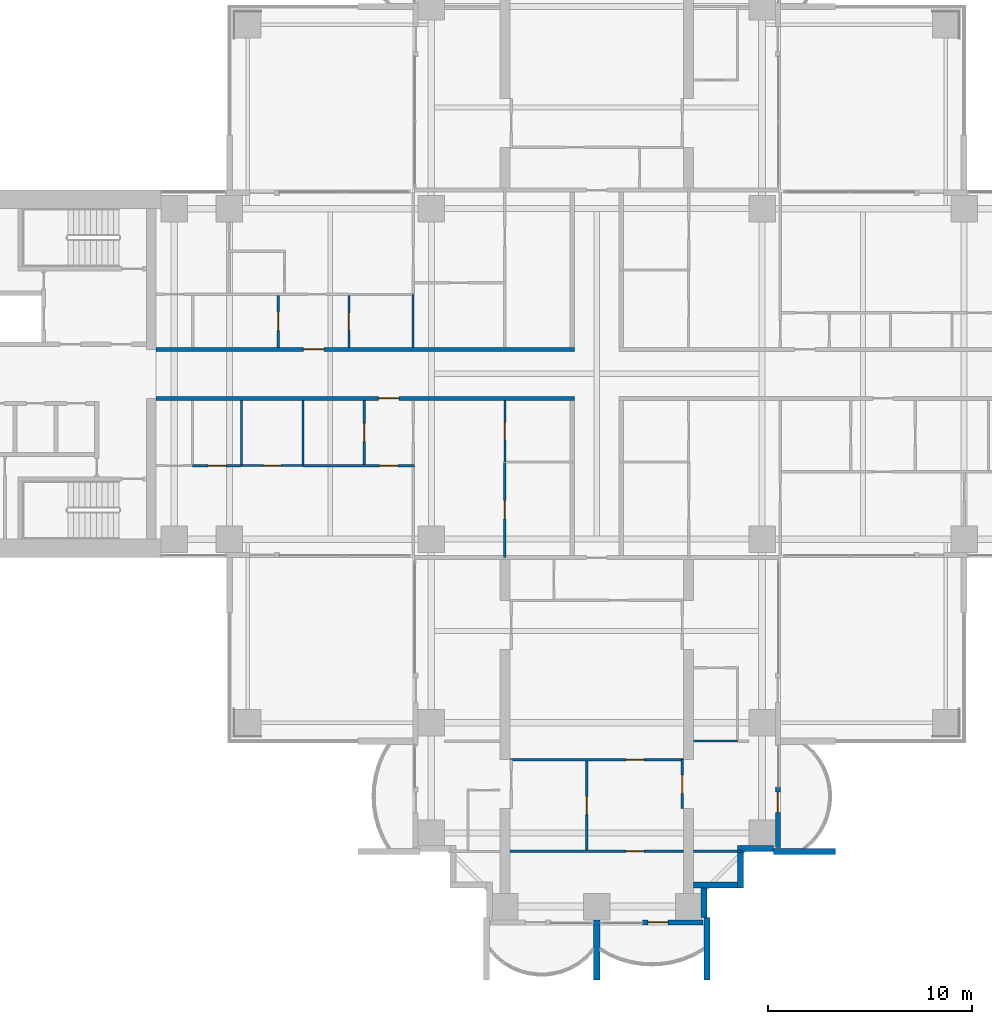
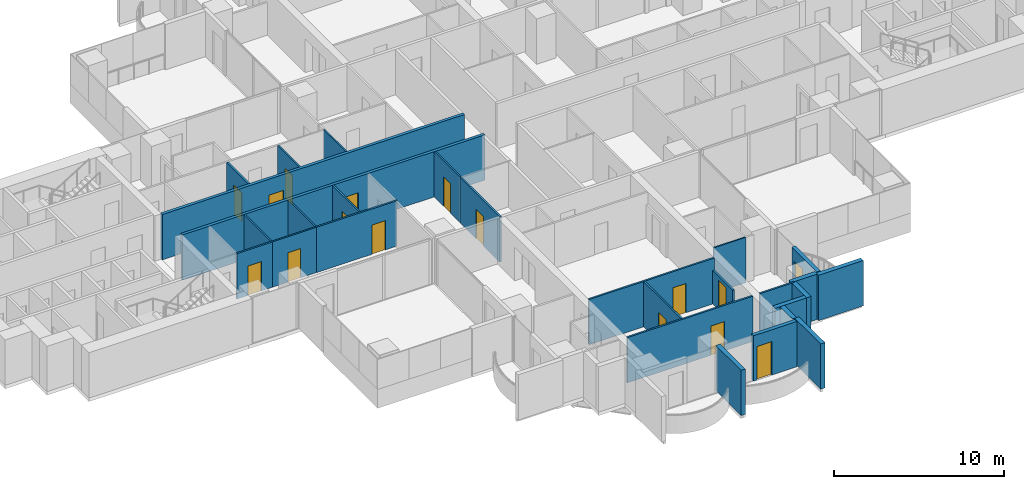
# One storey, part 11 of 21: 28 walls, 16 doors, 16 openings.
"""IFC4 building model written with IfcOpenShell, lengths in metres."""

from ifc_helpers import new_model, si_unit, direction, frame, frame_2d, origin, place, context, subcontext, project, spatial, rectangle, extrude, material, layer, layer_set, type_object, element, fill, save


model = new_model("IFC4")

# Units and contexts
model_context = context("Model", 3, precision=1e-05, world=origin(), true_north=direction((0.0, 1.0)))
body_context = subcontext(model_context, "Body", "Model", "MODEL_VIEW")
ifc_project = project(units=[si_unit("LENGTHUNIT", "METRE"), si_unit("AREAUNIT", "SQUARE_METRE"), si_unit("VOLUMEUNIT", "CUBIC_METRE"), si_unit("PLANEANGLEUNIT", "RADIAN"), si_unit("MASSUNIT", "GRAM", prefix="KILO")], contexts=[model_context])

# Site, building, storey
site_placement = place(None, origin())
site = spatial("IfcSite", under=ifc_project, at=site_placement, CompositionType="ELEMENT")
building_placement = place(site_placement, origin())
building = spatial("IfcBuilding", under=site, at=building_placement, Name="Perihelion Cross Residences", CompositionType="ELEMENT")
storey_placement = place(building_placement, frame((0.0, 0.0, 43.5)))
storey = spatial("IfcBuildingStorey", under=building, at=storey_placement, Name="L07", CompositionType="ELEMENT", Elevation=43.5)

# Wall, opening, door
ifc_material_1 = material(Name="Plasterboard partition")
ifc_layer_1 = layer(ifc_material_1, 0.199951171875)
ifc_layer_set_1 = layer_set([ifc_layer_1], Name="Apartment separation wall 200")
wall_type_1 = type_object("IfcWallType", Name="Apartment separation wall 200", PredefinedType="PARTITIONING", material=ifc_layer_set_1)
wall_1_placement = place(storey_placement, frame((-21.60009765625, 1.199951171875, 0.0), z_axis=(0.0, 0.0, 1.0), x_axis=(1.0, 0.0, 0.0)))
wall_1 = element("IfcWall", 1, at=wall_1_placement, inside=storey, type_object=wall_type_1, Name="Partition L07 W005", PredefinedType="PARTITIONING", context=body_context, shape_type="SweptSolid", body=[
    extrude(rectangle(XDim=20.5, YDim=0.199951171875, at=frame_2d((10.25, 0.0))), origin(), (0.0, 0.0, 1.0), 3.25),
])
opening_1_placement = place(wall_1_placement, frame((7.22509765625, 0.0, 0.0)))
opening_1 = element("IfcOpeningElement", 2, at=opening_1_placement, cuts=wall_1, Name="Opening L07.A52", PredefinedType="OPENING", context=body_context, shape_type="SweptSolid", body=[
    extrude(rectangle(XDim=1.0, YDim=2.10009765625, at=frame_2d((0.5, 1.050048828125))), frame((0.0, 0.10986328125, 0.0), z_axis=(0.0, -1.0, 0.0), x_axis=(1.0, 0.0, 0.0)), (0.0, 0.0, 1.0), 0.219970703125),
])
ifc_material_2 = material(Name="Timber door leaf", Category="wood")
door_type_1 = type_object("IfcDoorType", Name="Flat entrance door 1000 x 2100", OperationType="SINGLE_SWING_LEFT", PredefinedType="DOOR", material=ifc_material_2)
door_1_placement = place(opening_1_placement, origin())
door_1 = element("IfcDoor", 3, at=door_1_placement, inside=storey, type_object=door_type_1, Name="Door L07.A52", OperationType="SINGLE_SWING_RIGHT", OverallHeight=2.10009765625, OverallWidth=1.0, PredefinedType="DOOR", context=body_context, shape_type="SweptSolid", body=[
    extrude(rectangle(XDim=1.0, YDim=2.10009765625, at=frame_2d((0.5, 1.050048828125))), frame((0.0, 0.02490234375, 0.0), z_axis=(0.0, -1.0, 0.0), x_axis=(1.0, 0.0, 0.0)), (0.0, 0.0, 1.0), 0.050048828125),
])
fill(opening_1, door_1)

wall_2_placement = place(storey_placement, frame((-1.10009765625, -1.199951171875, 0.0), z_axis=(0.0, 0.0, 1.0), x_axis=(-1.0, 0.0, 0.0)))
wall_2 = element("IfcWall", 4, at=wall_2_placement, inside=storey, type_object=wall_type_1, Name="Partition L07 W007", PredefinedType="PARTITIONING", context=body_context, shape_type="SweptSolid", body=[
    extrude(rectangle(XDim=20.5, YDim=0.199951171875, at=frame_2d((10.25, 0.0))), origin(), (0.0, 0.0, 1.0), 3.25),
])
opening_2_placement = place(wall_2_placement, frame((8.60009765625, 0.0, 0.0)))
opening_2 = element("IfcOpeningElement", 5, at=opening_2_placement, cuts=wall_2, Name="Opening L07.A53", PredefinedType="OPENING", context=body_context, shape_type="SweptSolid", body=[
    extrude(rectangle(XDim=1.0, YDim=2.10009765625, at=frame_2d((0.5, 1.050048828125))), frame((0.0, 0.10986328125, 0.0), z_axis=(0.0, -1.0, 0.0), x_axis=(1.0, 0.0, 0.0)), (0.0, 0.0, 1.0), 0.219970703125),
])
door_2_placement = place(opening_2_placement, origin())
door_2 = element("IfcDoor", 6, at=door_2_placement, inside=storey, type_object=door_type_1, Name="Door L07.A53", OperationType="SINGLE_SWING_LEFT", OverallHeight=2.10009765625, OverallWidth=1.0, PredefinedType="DOOR", context=body_context, shape_type="SweptSolid", body=[
    extrude(rectangle(XDim=1.0, YDim=2.10009765625, at=frame_2d((0.5, 1.050048828125))), frame((0.0, 0.02490234375, 0.0), z_axis=(0.0, -1.0, 0.0), x_axis=(1.0, 0.0, 0.0)), (0.0, 0.0, 1.0), 0.050048828125),
])
fill(opening_2, door_2)

ifc_material_3 = material(Name="Concrete C30/37, bronze-clad", Category="concrete")
ifc_layer_2 = layer(ifc_material_3, 0.25)
ifc_layer_set_2 = layer_set([ifc_layer_2], Name="Bronze-clad pier wall 250")
wall_type_2 = type_object("IfcWallType", Name="Bronze-clad pier wall 250", PredefinedType="SOLIDWALL", material=ifc_layer_set_2)
wall_3_placement = place(storey_placement, frame((2.25, -26.875, 0.0), z_axis=(0.0, 0.0, 1.0), x_axis=(1.0, 0.0, 0.0)))
wall_3 = element("IfcWall", 7, at=wall_3_placement, inside=storey, type_object=wall_type_2, Name="Wall FW1 L07 south tip south bay 2 pier", PredefinedType="SOLIDWALL", context=body_context, shape_type="SweptSolid", body=[
    extrude(rectangle(XDim=2.949951171875, YDim=0.25, at=frame_2d((1.47509765625, 0.0))), origin(), (0.0, 0.0, 1.0), 3.25),
])
opening_3_placement = place(wall_3_placement, frame((0.25, 0.0, 0.0)))
opening_3 = element("IfcOpeningElement", 8, at=opening_3_placement, cuts=wall_3, Name="Opening L07.E13", PredefinedType="OPENING", context=body_context, shape_type="SweptSolid", body=[
    extrude(rectangle(XDim=1.0, YDim=2.39990234375, at=frame_2d((0.5, 1.199951171875))), frame((0.0, 0.135009765625, 0.0), z_axis=(0.0, -1.0, 0.0), x_axis=(1.0, 0.0, 0.0)), (0.0, 0.0, 1.0), 0.27001953125),
])
ifc_material_4 = material(Name="Bronze anodised aluminium, glazed", Category="aluminium")
door_type_2 = type_object("IfcDoorType", Name="Balcony door 1000 x 2400", OperationType="NOTDEFINED", PredefinedType="DOOR", material=ifc_material_4)
door_3_placement = place(opening_3_placement, origin())
door_3 = element("IfcDoor", 9, at=door_3_placement, inside=storey, type_object=door_type_2, Name="Door L07.E13 south tip south bay 2", OperationType="SINGLE_SWING_RIGHT", OverallHeight=2.39990234375, OverallWidth=1.0, PredefinedType="DOOR", context=body_context, shape_type="SweptSolid", body=[
    extrude(rectangle(XDim=1.0, YDim=2.39990234375, at=frame_2d((0.5, 1.199951171875))), frame((0.0, 0.02490234375, 0.0), z_axis=(0.0, -1.0, 0.0), x_axis=(1.0, 0.0, 0.0)), (0.0, 0.0, 1.0), 0.050048828125),
])
fill(opening_3, door_3)

wall_4_placement = place(storey_placement, frame((8.875, -23.199951171875, 0.0), z_axis=(0.0, 0.0, 1.0), x_axis=(0.0, 1.0, 0.0)))
wall_4 = element("IfcWall", 10, at=wall_4_placement, inside=storey, type_object=wall_type_2, Name="Wall FW1 L07 south side east bay 1 pier", PredefinedType="SOLIDWALL", context=body_context, shape_type="SweptSolid", body=[
    extrude(rectangle(XDim=2.949951171875, YDim=0.25, at=frame_2d((1.47509765625, 0.0))), origin(), (0.0, 0.0, 1.0), 3.25),
])
opening_4_placement = place(wall_4_placement, frame((1.699951171875, 0.0, 0.0)))
opening_4 = element("IfcOpeningElement", 11, at=opening_4_placement, cuts=wall_4, Name="Opening L07.E14", PredefinedType="OPENING", context=body_context, shape_type="SweptSolid", body=[
    extrude(rectangle(XDim=1.0, YDim=2.39990234375, at=frame_2d((0.5, 1.199951171875))), frame((0.0, 0.135009765625, 0.0), z_axis=(0.0, -1.0, 0.0), x_axis=(1.0, 0.0, 0.0)), (0.0, 0.0, 1.0), 0.27001953125),
])
door_4_placement = place(opening_4_placement, origin())
door_4 = element("IfcDoor", 12, at=door_4_placement, inside=storey, type_object=door_type_2, Name="Door L07.E14 south side east bay 1", OperationType="SINGLE_SWING_LEFT", OverallHeight=2.39990234375, OverallWidth=1.0, PredefinedType="DOOR", context=body_context, shape_type="SweptSolid", body=[
    extrude(rectangle(XDim=1.0, YDim=2.39990234375, at=frame_2d((0.5, 1.199951171875))), frame((0.0, 0.02490234375, 0.0), z_axis=(0.0, -1.0, 0.0), x_axis=(1.0, 0.0, 0.0)), (0.0, 0.0, 1.0), 0.050048828125),
])
fill(opening_4, door_4)

# Walls
ifc_material_5 = material(Name="Concrete C30/37, bronze-clad", Category="concrete")
ifc_layer_3 = layer(ifc_material_5, 0.300048828125)
ifc_layer_set_3 = layer_set([ifc_layer_3], Name="Bronze-clad serration wall 300")
wall_type_3 = type_object("IfcWallType", Name="Bronze-clad serration wall 300", PredefinedType="SOLIDWALL", material=ifc_layer_set_3)
wall_5_placement = place(storey_placement, frame((5.25, -26.64990234375, 0.0), z_axis=(0.0, 0.0, 1.0), x_axis=(0.0, 1.0, 0.0)))
element("IfcWall", 13, at=wall_5_placement, inside=storey, type_object=wall_type_3, Name="Wall SR1 L07 south corner south-east 1", PredefinedType="SOLIDWALL", context=body_context, shape_type="SweptSolid", body=[
    extrude(rectangle(XDim=1.449951171875, YDim=0.300048828125, at=frame_2d((0.72509765625, 0.0))), origin(), (0.0, 0.0, 1.0), 3.25),
])
wall_6_placement = place(storey_placement, frame((4.75, -25.050048828125, 0.0), z_axis=(0.0, 0.0, 1.0), x_axis=(1.0, 0.0, 0.0)))
element("IfcWall", 14, at=wall_6_placement, inside=storey, type_object=wall_type_3, Name="Wall SR1 L07 south corner south-east 2", PredefinedType="SOLIDWALL", context=body_context, shape_type="SweptSolid", body=[
    extrude(rectangle(XDim=2.14990234375, YDim=0.300048828125, at=frame_2d((1.074951171875, 0.0))), origin(), (0.0, 0.0, 1.0), 3.25),
])
wall_7_placement = place(storey_placement, frame((7.050048828125, -25.199951171875, 0.0), z_axis=(0.0, 0.0, 1.0), x_axis=(0.0, 1.0, 0.0)))
element("IfcWall", 15, at=wall_7_placement, inside=storey, type_object=wall_type_3, Name="Wall SR1 L07 south corner south-east 3", PredefinedType="SOLIDWALL", context=body_context, shape_type="SweptSolid", body=[
    extrude(rectangle(XDim=1.800048828125, YDim=0.300048828125, at=frame_2d((0.89990234375, 0.0))), origin(), (0.0, 0.0, 1.0), 3.25),
])
wall_8_placement = place(storey_placement, frame((6.89990234375, -23.25, 0.0), z_axis=(0.0, 0.0, 1.0), x_axis=(1.0, 0.0, 0.0)))
element("IfcWall", 16, at=wall_8_placement, inside=storey, type_object=wall_type_3, Name="Wall SR1 L07 south corner south-east 4", PredefinedType="SOLIDWALL", context=body_context, shape_type="SweptSolid", body=[
    extrude(rectangle(XDim=1.75, YDim=0.300048828125, at=frame_2d((0.875, 0.0))), origin(), (0.0, 0.0, 1.0), 3.25),
])

# Wall, opening, door
ifc_material_6 = material(Name="Plasterboard partition")
ifc_layer_4 = layer(ifc_material_6, 0.1201171875)
ifc_layer_set_4 = layer_set([ifc_layer_4], Name="Infill panel 120")
wall_type_4 = type_object("IfcWallType", Name="Infill panel 120", PredefinedType="PARTITIONING", material=ifc_layer_set_4)
wall_9_placement = place(storey_placement, frame((4.18994140625, -18.89990234375, 0.0), z_axis=(0.0, 0.0, 1.0), x_axis=(0.0, -1.0, 0.0)))
wall_9 = element("IfcWall", 17, at=wall_9_placement, inside=storey, type_object=wall_type_4, Name="Partition L07 WI06", PredefinedType="PARTITIONING", context=body_context, shape_type="SweptSolid", body=[
    extrude(rectangle(XDim=2.400146484375, YDim=0.1201171875, at=frame_2d((1.2001953125, 0.0))), origin(), (0.0, 0.0, 1.0), 2.39990234375),
])
opening_5_placement = place(wall_9_placement, frame((0.75, 0.0, 0.0)))
opening_5 = element("IfcOpeningElement", 18, at=opening_5_placement, cuts=wall_9, Name="Opening L07.A59", PredefinedType="OPENING", context=body_context, shape_type="SweptSolid", body=[
    extrude(rectangle(XDim=0.89990234375, YDim=2.10009765625, at=frame_2d((0.449951171875, 1.050048828125))), frame((0.0, 0.070068359375, 0.0), z_axis=(0.0, -1.0, 0.0), x_axis=(1.0, 0.0, 0.0)), (0.0, 0.0, 1.0), 0.14013671875),
])
ifc_material_7 = material(Name="Timber door leaf", Category="wood")
door_type_3 = type_object("IfcDoorType", Name="Interior room door 900 x 2100", OperationType="SINGLE_SWING_LEFT", PredefinedType="DOOR", material=ifc_material_7)
door_5_placement = place(opening_5_placement, origin())
door_5 = element("IfcDoor", 19, at=door_5_placement, inside=storey, type_object=door_type_3, Name="Door L07.A59", OperationType="SINGLE_SWING_RIGHT", OverallHeight=2.10009765625, OverallWidth=0.89990234375, PredefinedType="DOOR", context=body_context, shape_type="SweptSolid", body=[
    extrude(rectangle(XDim=0.89990234375, YDim=2.10009765625, at=frame_2d((0.449951171875, 1.050048828125))), frame((0.0, 0.02490234375, 0.0), z_axis=(0.0, -1.0, 0.0), x_axis=(1.0, 0.0, 0.0)), (0.0, 0.0, 1.0), 0.050048828125),
])
fill(opening_5, door_5)

ifc_material_8 = material(Name="Plasterboard partition")
ifc_layer_5 = layer(ifc_material_8, 0.1201171875)
ifc_layer_set_5 = layer_set([ifc_layer_5], Name="Partition wall 120")
wall_type_5 = type_object("IfcWallType", Name="Partition wall 120", PredefinedType="PARTITIONING", material=ifc_layer_set_5)
wall_10_placement = place(storey_placement, frame((-15.60009765625, 1.300048828125, 0.0), z_axis=(0.0, 0.0, 1.0), x_axis=(0.0, 1.0, 0.0)))
wall_10 = element("IfcWall", 20, at=wall_10_placement, inside=storey, type_object=wall_type_5, Name="Partition L07 W036", PredefinedType="PARTITIONING", context=body_context, shape_type="SweptSolid", body=[
    extrude(rectangle(XDim=2.5400390625, YDim=0.1201171875, at=frame_2d((1.27001953125, 0.0))), origin(), (0.0, 0.0, 1.0), 3.25),
])
opening_6_placement = place(wall_10_placement, frame((0.820068359375, 0.0, 0.0)))
opening_6 = element("IfcOpeningElement", 21, at=opening_6_placement, cuts=wall_10, Name="Opening L07.A18", PredefinedType="OPENING", context=body_context, shape_type="SweptSolid", body=[
    extrude(rectangle(XDim=0.89990234375, YDim=2.10009765625, at=frame_2d((0.449951171875, 1.050048828125))), frame((0.0, 0.070068359375, 0.0), z_axis=(0.0, -1.0, 0.0), x_axis=(1.0, 0.0, 0.0)), (0.0, 0.0, 1.0), 0.14013671875),
])
door_6_placement = place(opening_6_placement, origin())
door_6 = element("IfcDoor", 22, at=door_6_placement, inside=storey, type_object=door_type_3, Name="Door L07.A18", OperationType="SINGLE_SWING_RIGHT", OverallHeight=2.10009765625, OverallWidth=0.89990234375, PredefinedType="DOOR", context=body_context, shape_type="SweptSolid", body=[
    extrude(rectangle(XDim=0.89990234375, YDim=2.10009765625, at=frame_2d((0.449951171875, 1.050048828125))), frame((0.0, 0.02490234375, 0.0), z_axis=(0.0, -1.0, 0.0), x_axis=(1.0, 0.0, 0.0)), (0.0, 0.0, 1.0), 0.050048828125),
])
fill(opening_6, door_6)

wall_11_placement = place(storey_placement, frame((-11.39990234375, -4.43994140625, 0.0), z_axis=(0.0, 0.0, 1.0), x_axis=(0.0, 1.0, 0.0)))
wall_11 = element("IfcWall", 23, at=wall_11_placement, inside=storey, type_object=wall_type_5, Name="Partition L07 W045", PredefinedType="PARTITIONING", context=body_context, shape_type="SweptSolid", body=[
    extrude(rectangle(XDim=3.139892578125, YDim=0.1201171875, at=frame_2d((1.56982421875, 0.0))), origin(), (0.0, 0.0, 1.0), 3.25),
])
opening_7_placement = place(wall_11_placement, frame((1.1201171875, 0.0, 0.0)))
opening_7 = element("IfcOpeningElement", 24, at=opening_7_placement, cuts=wall_11, Name="Opening L07.A27", PredefinedType="OPENING", context=body_context, shape_type="SweptSolid", body=[
    extrude(rectangle(XDim=0.89990234375, YDim=2.10009765625, at=frame_2d((0.449951171875, 1.050048828125))), frame((0.0, 0.070068359375, 0.0), z_axis=(0.0, -1.0, 0.0), x_axis=(1.0, 0.0, 0.0)), (0.0, 0.0, 1.0), 0.14013671875),
])
door_7_placement = place(opening_7_placement, origin())
door_7 = element("IfcDoor", 25, at=door_7_placement, inside=storey, type_object=door_type_3, Name="Door L07.A27", OperationType="SINGLE_SWING_RIGHT", OverallHeight=2.10009765625, OverallWidth=0.89990234375, PredefinedType="DOOR", context=body_context, shape_type="SweptSolid", body=[
    extrude(rectangle(XDim=0.89990234375, YDim=2.10009765625, at=frame_2d((0.449951171875, 1.050048828125))), frame((0.0, 0.02490234375, 0.0), z_axis=(0.0, -1.0, 0.0), x_axis=(1.0, 0.0, 0.0)), (0.0, 0.0, 1.0), 0.050048828125),
])
fill(opening_7, door_7)

wall_12_placement = place(storey_placement, frame((-8.93994140625, -4.5, 0.0), z_axis=(0.0, 0.0, 1.0), x_axis=(-1.0, 0.0, 0.0)))
wall_12 = element("IfcWall", 26, at=wall_12_placement, inside=storey, type_object=wall_type_5, Name="Partition L07 W046", PredefinedType="PARTITIONING", context=body_context, shape_type="SweptSolid", body=[
    extrude(rectangle(XDim=5.4599609375, YDim=0.1201171875, at=frame_2d((2.72998046875, 0.0))), origin(), (0.0, 0.0, 1.0), 3.25),
])
opening_8_placement = place(wall_12_placement, frame((0.81005859375, 0.0, 0.0)))
opening_8 = element("IfcOpeningElement", 27, at=opening_8_placement, cuts=wall_12, Name="Opening L07.A32", PredefinedType="OPENING", context=body_context, shape_type="SweptSolid", body=[
    extrude(rectangle(XDim=0.89990234375, YDim=2.10009765625, at=frame_2d((0.449951171875, 1.050048828125))), frame((0.0, 0.070068359375, 0.0), z_axis=(0.0, -1.0, 0.0), x_axis=(1.0, 0.0, 0.0)), (0.0, 0.0, 1.0), 0.14013671875),
])
door_8_placement = place(opening_8_placement, origin())
door_8 = element("IfcDoor", 28, at=door_8_placement, inside=storey, type_object=door_type_3, Name="Door L07.A32", OperationType="SINGLE_SWING_RIGHT", OverallHeight=2.10009765625, OverallWidth=0.89990234375, PredefinedType="DOOR", context=body_context, shape_type="SweptSolid", body=[
    extrude(rectangle(XDim=0.89990234375, YDim=2.10009765625, at=frame_2d((0.449951171875, 1.050048828125))), frame((0.0, 0.02490234375, 0.0), z_axis=(0.0, -1.0, 0.0), x_axis=(1.0, 0.0, 0.0)), (0.0, 0.0, 1.0), 0.050048828125),
])
fill(opening_8, door_8)

wall_13_placement = place(storey_placement, frame((-17.39990234375, -4.5, 0.0), z_axis=(0.0, 0.0, 1.0), x_axis=(-1.0, 0.0, 0.0)))
wall_13 = element("IfcWall", 29, at=wall_13_placement, inside=storey, type_object=wall_type_5, Name="Partition L07 W052", PredefinedType="PARTITIONING", context=body_context, shape_type="SweptSolid", body=[
    extrude(rectangle(XDim=2.400146484375, YDim=0.1201171875, at=frame_2d((1.2001953125, 0.0))), origin(), (0.0, 0.0, 1.0), 3.25),
])
opening_9_placement = place(wall_13_placement, frame((0.75, 0.0, 0.0)))
opening_9 = element("IfcOpeningElement", 30, at=opening_9_placement, cuts=wall_13, Name="Opening L07.A33", PredefinedType="OPENING", context=body_context, shape_type="SweptSolid", body=[
    extrude(rectangle(XDim=0.89990234375, YDim=2.10009765625, at=frame_2d((0.449951171875, 1.050048828125))), frame((0.0, 0.070068359375, 0.0), z_axis=(0.0, -1.0, 0.0), x_axis=(1.0, 0.0, 0.0)), (0.0, 0.0, 1.0), 0.14013671875),
])
door_9_placement = place(opening_9_placement, origin())
door_9 = element("IfcDoor", 31, at=door_9_placement, inside=storey, type_object=door_type_3, Name="Door L07.A33", OperationType="SINGLE_SWING_RIGHT", OverallHeight=2.10009765625, OverallWidth=0.89990234375, PredefinedType="DOOR", context=body_context, shape_type="SweptSolid", body=[
    extrude(rectangle(XDim=0.89990234375, YDim=2.10009765625, at=frame_2d((0.449951171875, 1.050048828125))), frame((0.0, 0.02490234375, 0.0), z_axis=(0.0, -1.0, 0.0), x_axis=(1.0, 0.0, 0.0)), (0.0, 0.0, 1.0), 0.050048828125),
])
fill(opening_9, door_9)

wall_14_placement = place(storey_placement, frame((-4.5, -4.320068359375, 0.0), z_axis=(0.0, 0.0, 1.0), x_axis=(0.0, -1.0, 0.0)))
wall_14 = element("IfcWall", 32, at=wall_14_placement, inside=storey, type_object=wall_type_5, Name="Partition L07 W055", PredefinedType="PARTITIONING", context=body_context, shape_type="SweptSolid", body=[
    extrude(rectangle(XDim=4.679931640625, YDim=0.1201171875, at=frame_2d((2.33984375, 0.0))), origin(), (0.0, 0.0, 1.0), 3.25),
])
opening_10_placement = place(wall_14_placement, frame((1.889892578125, 0.0, 0.0)))
opening_10 = element("IfcOpeningElement", 33, at=opening_10_placement, cuts=wall_14, Name="Opening L07.A29", PredefinedType="OPENING", context=body_context, shape_type="SweptSolid", body=[
    extrude(rectangle(XDim=0.89990234375, YDim=2.10009765625, at=frame_2d((0.449951171875, 1.050048828125))), frame((0.0, 0.070068359375, 0.0), z_axis=(0.0, -1.0, 0.0), x_axis=(1.0, 0.0, 0.0)), (0.0, 0.0, 1.0), 0.14013671875),
])
door_10_placement = place(opening_10_placement, origin())
door_10 = element("IfcDoor", 34, at=door_10_placement, inside=storey, type_object=door_type_3, Name="Door L07.A29", OperationType="SINGLE_SWING_RIGHT", OverallHeight=2.10009765625, OverallWidth=0.89990234375, PredefinedType="DOOR", context=body_context, shape_type="SweptSolid", body=[
    extrude(rectangle(XDim=0.89990234375, YDim=2.10009765625, at=frame_2d((0.449951171875, 1.050048828125))), frame((0.0, 0.02490234375, 0.0), z_axis=(0.0, -1.0, 0.0), x_axis=(1.0, 0.0, 0.0)), (0.0, 0.0, 1.0), 0.050048828125),
])
fill(opening_10, door_10)

wall_15_placement = place(storey_placement, frame((4.25, -18.89990234375, 0.0), z_axis=(0.0, 0.0, 1.0), x_axis=(-1.0, 0.0, 0.0)))
wall_15 = element("IfcWall", 35, at=wall_15_placement, inside=storey, type_object=wall_type_5, Name="Partition L07 W075", PredefinedType="PARTITIONING", context=body_context, shape_type="SweptSolid", body=[
    extrude(rectangle(XDim=8.5, YDim=0.1201171875, at=frame_2d((4.25, 0.0))), origin(), (0.0, 0.0, 1.0), 3.25),
])
opening_11_placement = place(wall_15_placement, frame((1.925048828125, 0.0, 0.0)))
opening_11 = element("IfcOpeningElement", 36, at=opening_11_placement, cuts=wall_15, Name="Opening L07.A45", PredefinedType="OPENING", context=body_context, shape_type="SweptSolid", body=[
    extrude(rectangle(XDim=0.89990234375, YDim=2.10009765625, at=frame_2d((0.449951171875, 1.050048828125))), frame((0.0, 0.070068359375, 0.0), z_axis=(0.0, -1.0, 0.0), x_axis=(1.0, 0.0, 0.0)), (0.0, 0.0, 1.0), 0.14013671875),
])
door_11_placement = place(opening_11_placement, origin())
door_11 = element("IfcDoor", 37, at=door_11_placement, inside=storey, type_object=door_type_3, Name="Door L07.A45", OperationType="SINGLE_SWING_RIGHT", OverallHeight=2.10009765625, OverallWidth=0.89990234375, PredefinedType="DOOR", context=body_context, shape_type="SweptSolid", body=[
    extrude(rectangle(XDim=0.89990234375, YDim=2.10009765625, at=frame_2d((0.449951171875, 1.050048828125))), frame((0.0, 0.02490234375, 0.0), z_axis=(0.0, -1.0, 0.0), x_axis=(1.0, 0.0, 0.0)), (0.0, 0.0, 1.0), 0.050048828125),
])
fill(opening_11, door_11)

wall_16_placement = place(storey_placement, frame((-0.5, -23.340087890625, 0.0), z_axis=(0.0, 0.0, 1.0), x_axis=(0.0, 1.0, 0.0)))
wall_16 = element("IfcWall", 38, at=wall_16_placement, inside=storey, type_object=wall_type_5, Name="Partition L07 W076", PredefinedType="PARTITIONING", context=body_context, shape_type="SweptSolid", body=[
    extrude(rectangle(XDim=4.380126953125, YDim=0.1201171875, at=frame_2d((2.18994140625, 0.0))), origin(), (0.0, 0.0, 1.0), 3.25),
])
opening_12_placement = place(wall_16_placement, frame((1.739990234375, 0.0, 0.0)))
opening_12 = element("IfcOpeningElement", 39, at=opening_12_placement, cuts=wall_16, Name="Opening L07.A46", PredefinedType="OPENING", context=body_context, shape_type="SweptSolid", body=[
    extrude(rectangle(XDim=0.89990234375, YDim=2.10009765625, at=frame_2d((0.449951171875, 1.050048828125))), frame((0.0, 0.070068359375, 0.0), z_axis=(0.0, -1.0, 0.0), x_axis=(1.0, 0.0, 0.0)), (0.0, 0.0, 1.0), 0.14013671875),
])
door_12_placement = place(opening_12_placement, origin())
door_12 = element("IfcDoor", 40, at=door_12_placement, inside=storey, type_object=door_type_3, Name="Door L07.A46", OperationType="SINGLE_SWING_LEFT", OverallHeight=2.10009765625, OverallWidth=0.89990234375, PredefinedType="DOOR", context=body_context, shape_type="SweptSolid", body=[
    extrude(rectangle(XDim=0.89990234375, YDim=2.10009765625, at=frame_2d((0.449951171875, 1.050048828125))), frame((0.0, 0.02490234375, 0.0), z_axis=(0.0, -1.0, 0.0), x_axis=(1.0, 0.0, 0.0)), (0.0, 0.0, 1.0), 0.050048828125),
])
fill(opening_12, door_12)

wall_17_placement = place(storey_placement, frame((4.25, -23.39990234375, 0.0), z_axis=(0.0, 0.0, 1.0), x_axis=(-1.0, 0.0, 0.0)))
wall_17 = element("IfcWall", 41, at=wall_17_placement, inside=storey, type_object=wall_type_5, Name="Partition L07 W077", PredefinedType="PARTITIONING", context=body_context, shape_type="SweptSolid", body=[
    extrude(rectangle(XDim=8.5, YDim=0.1201171875, at=frame_2d((4.25, 0.0))), origin(), (0.0, 0.0, 1.0), 3.25),
])
opening_13_placement = place(wall_17_placement, frame((1.925048828125, 0.0, 0.0)))
opening_13 = element("IfcOpeningElement", 42, at=opening_13_placement, cuts=wall_17, Name="Opening L07.A47", PredefinedType="OPENING", context=body_context, shape_type="SweptSolid", body=[
    extrude(rectangle(XDim=0.89990234375, YDim=2.10009765625, at=frame_2d((0.449951171875, 1.050048828125))), frame((0.0, 0.070068359375, 0.0), z_axis=(0.0, -1.0, 0.0), x_axis=(1.0, 0.0, 0.0)), (0.0, 0.0, 1.0), 0.14013671875),
])
door_13_placement = place(opening_13_placement, origin())
door_13 = element("IfcDoor", 43, at=door_13_placement, inside=storey, type_object=door_type_3, Name="Door L07.A47", OperationType="SINGLE_SWING_LEFT", OverallHeight=2.10009765625, OverallWidth=0.89990234375, PredefinedType="DOOR", context=body_context, shape_type="SweptSolid", body=[
    extrude(rectangle(XDim=0.89990234375, YDim=2.10009765625, at=frame_2d((0.449951171875, 1.050048828125))), frame((0.0, 0.02490234375, 0.0), z_axis=(0.0, -1.0, 0.0), x_axis=(1.0, 0.0, 0.0)), (0.0, 0.0, 1.0), 0.050048828125),
])
fill(opening_13, door_13)

# Walls
wall_18_placement = place(storey_placement, frame((7.1201171875, -23.39990234375, 0.0), z_axis=(0.0, 0.0, 1.0), x_axis=(-1.0, 0.0, 0.0)))
element("IfcWall", 44, at=wall_18_placement, inside=storey, type_object=wall_type_5, Name="Partition L07 W082", PredefinedType="PARTITIONING", context=body_context, shape_type="SweptSolid", body=[
    extrude(rectangle(XDim=2.3701171875, YDim=0.1201171875, at=frame_2d((1.18505859375, 0.0))), origin(), (0.0, 0.0, 1.0), 3.25),
])
ifc_material_9 = material(Name="Precast concrete C50/60", Category="concrete")
ifc_layer_6 = layer(ifc_material_9, 0.300048828125)
ifc_layer_set_6 = layer_set([ifc_layer_6], Name="Precast concrete C50/60 blade wall 300")
wall_type_6 = type_object("IfcWallType", Name="Precast concrete C50/60 blade wall 300", PredefinedType="SOLIDWALL", material=ifc_layer_set_6)
wall_19_placement = place(storey_placement, frame((0.0, -26.75, 0.0), z_axis=(0.0, 0.0, 1.0), x_axis=(0.0, -1.0, 0.0)))
element("IfcWall", 45, at=wall_19_placement, inside=storey, type_object=wall_type_6, Name="Wall BL1 L07 no. 9", PredefinedType="SOLIDWALL", context=body_context, shape_type="SweptSolid", body=[
    extrude(rectangle(XDim=2.949951171875, YDim=0.300048828125, at=frame_2d((1.47509765625, 0.0))), origin(), (0.0, 0.0, 1.0), 3.25),
])
for number, where, z_axis, x_axis, name in (
    (46, (5.39990234375, -26.64990234375, 0.0), (0.0, 0.0, 1.0), (0.0, -1.0, 0.0), "Wall BL1 L07 no. 13"),
    (47, (8.64990234375, -23.39990234375, 0.0), (0.0, 0.0, 1.0), (1.0, 0.0, 0.0), "Wall BL1 L07 no. 16"),
):
    element("IfcWall", number, at=place(storey_placement, frame(where, z_axis=z_axis, x_axis=x_axis)), inside=storey, type_object=wall_type_6, Name=name, PredefinedType="SOLIDWALL", context=body_context, shape_type="SweptSolid", body=[
        extrude(rectangle(XDim=3.050048828125, YDim=0.300048828125, at=frame_2d((1.52490234375, 0.0))), origin(), (0.0, 0.0, 1.0), 3.25),
    ])

# Wall, opening, door
ifc_material_10 = material(Name="Plasterboard partition")
ifc_layer_7 = layer(ifc_material_10, 0.10009765625)
ifc_layer_set_7 = layer_set([ifc_layer_7], Name="Wet room wall 100")
wall_type_7 = type_object("IfcWallType", Name="Wet room wall 100", PredefinedType="PARTITIONING", material=ifc_layer_set_7)
wall_20_placement = place(storey_placement, frame((-12.14990234375, 1.300048828125, 0.0), z_axis=(0.0, 0.0, 1.0), x_axis=(0.0, 1.0, 0.0)))
wall_20 = element("IfcWall", 48, at=wall_20_placement, inside=storey, type_object=wall_type_7, Name="Partition L07 W033", PredefinedType="PARTITIONING", context=body_context, shape_type="SweptSolid", body=[
    extrude(rectangle(XDim=2.5400390625, YDim=0.10009765625, at=frame_2d((1.27001953125, 0.0))), origin(), (0.0, 0.0, 1.0), 3.25),
])
opening_14_placement = place(wall_20_placement, frame((0.844970703125, 0.0, 0.0)))
opening_14 = element("IfcOpeningElement", 49, at=opening_14_placement, cuts=wall_20, Name="Opening L07.A22", PredefinedType="OPENING", context=body_context, shape_type="SweptSolid", body=[
    extrude(rectangle(XDim=0.85009765625, YDim=2.10009765625, at=frame_2d((0.425048828125, 1.050048828125))), frame((0.0, 0.06005859375, 0.0), z_axis=(0.0, -1.0, 0.0), x_axis=(1.0, 0.0, 0.0)), (0.0, 0.0, 1.0), 0.1201171875),
])
ifc_material_11 = material(Name="Timber door leaf", Category="wood")
door_type_4 = type_object("IfcDoorType", Name="Interior bathroom door 850 x 2100", OperationType="SINGLE_SWING_LEFT", PredefinedType="DOOR", material=ifc_material_11)
door_14_placement = place(opening_14_placement, origin())
door_14 = element("IfcDoor", 50, at=door_14_placement, inside=storey, type_object=door_type_4, Name="Door L07.A22", OperationType="SINGLE_SWING_LEFT", OverallHeight=2.10009765625, OverallWidth=0.85009765625, PredefinedType="DOOR", context=body_context, shape_type="SweptSolid", body=[
    extrude(rectangle(XDim=0.85009765625, YDim=2.10009765625, at=frame_2d((0.425048828125, 1.050048828125))), frame((0.0, 0.02490234375, 0.0), z_axis=(0.0, -1.0, 0.0), x_axis=(1.0, 0.0, 0.0)), (0.0, 0.0, 1.0), 0.050048828125),
])
fill(opening_14, door_14)

# Walls
wall_21_placement = place(storey_placement, frame((-9.0, 3.89990234375, 0.0), z_axis=(0.0, 0.0, 1.0), x_axis=(0.0, -1.0, 0.0)))
element("IfcWall", 51, at=wall_21_placement, inside=storey, type_object=wall_type_7, Name="Partition L07 W035", PredefinedType="PARTITIONING", context=body_context, shape_type="SweptSolid", body=[
    extrude(rectangle(XDim=2.599853515625, YDim=0.10009765625, at=frame_2d((1.2998046875, 0.0))), origin(), (0.0, 0.0, 1.0), 3.25),
])
for number, where, z_axis, x_axis, name in (
    (52, (-14.39990234375, -4.43994140625, 0.0), (0.0, 0.0, 1.0), (0.0, 1.0, 0.0), "Partition L07 W048"),
    (53, (-17.39990234375, -4.43994140625, 0.0), (0.0, 0.0, 1.0), (0.0, 1.0, 0.0), "Partition L07 W049"),
):
    element("IfcWall", number, at=place(storey_placement, frame(where, z_axis=z_axis, x_axis=x_axis)), inside=storey, type_object=wall_type_7, Name=name, PredefinedType="PARTITIONING", context=body_context, shape_type="SweptSolid", body=[
        extrude(rectangle(XDim=3.139892578125, YDim=0.10009765625, at=frame_2d((1.56982421875, 0.0))), origin(), (0.0, 0.0, 1.0), 3.25),
    ])

# Wall, opening, door
wall_22_placement = place(storey_placement, frame((-14.39990234375, -4.5, 0.0), z_axis=(0.0, 0.0, 1.0), x_axis=(-1.0, 0.0, 0.0)))
wall_22 = element("IfcWall", 54, at=wall_22_placement, inside=storey, type_object=wall_type_7, Name="Partition L07 W050", PredefinedType="PARTITIONING", context=body_context, shape_type="SweptSolid", body=[
    extrude(rectangle(XDim=3.0, YDim=0.10009765625, at=frame_2d((1.5, 0.0))), origin(), (0.0, 0.0, 1.0), 3.25),
])
opening_15_placement = place(wall_22_placement, frame((1.074951171875, 0.0, 0.0)))
opening_15 = element("IfcOpeningElement", 55, at=opening_15_placement, cuts=wall_22, Name="Opening L07.A26", PredefinedType="OPENING", context=body_context, shape_type="SweptSolid", body=[
    extrude(rectangle(XDim=0.85009765625, YDim=2.10009765625, at=frame_2d((0.425048828125, 1.050048828125))), frame((0.0, 0.06005859375, 0.0), z_axis=(0.0, -1.0, 0.0), x_axis=(1.0, 0.0, 0.0)), (0.0, 0.0, 1.0), 0.1201171875),
])
door_15_placement = place(opening_15_placement, origin())
door_15 = element("IfcDoor", 56, at=door_15_placement, inside=storey, type_object=door_type_4, Name="Door L07.A26", OperationType="SINGLE_SWING_LEFT", OverallHeight=2.10009765625, OverallWidth=0.85009765625, PredefinedType="DOOR", context=body_context, shape_type="SweptSolid", body=[
    extrude(rectangle(XDim=0.85009765625, YDim=2.10009765625, at=frame_2d((0.425048828125, 1.050048828125))), frame((0.0, 0.02490234375, 0.0), z_axis=(0.0, -1.0, 0.0), x_axis=(1.0, 0.0, 0.0)), (0.0, 0.0, 1.0), 0.050048828125),
])
fill(opening_15, door_15)

wall_23_placement = place(storey_placement, frame((-4.5, -1.300048828125, 0.0), z_axis=(0.0, 0.0, 1.0), x_axis=(0.0, -1.0, 0.0)))
wall_23 = element("IfcWall", 57, at=wall_23_placement, inside=storey, type_object=wall_type_7, Name="Partition L07 W054", PredefinedType="PARTITIONING", context=body_context, shape_type="SweptSolid", body=[
    extrude(rectangle(XDim=3.02001953125, YDim=0.10009765625, at=frame_2d((1.510009765625, 0.0))), origin(), (0.0, 0.0, 1.0), 3.25),
])
opening_16_placement = place(wall_23_placement, frame((1.0849609375, 0.0, 0.0)))
opening_16 = element("IfcOpeningElement", 58, at=opening_16_placement, cuts=wall_23, Name="Opening L07.A30", PredefinedType="OPENING", context=body_context, shape_type="SweptSolid", body=[
    extrude(rectangle(XDim=0.85009765625, YDim=2.10009765625, at=frame_2d((0.425048828125, 1.050048828125))), frame((0.0, 0.06005859375, 0.0), z_axis=(0.0, -1.0, 0.0), x_axis=(1.0, 0.0, 0.0)), (0.0, 0.0, 1.0), 0.1201171875),
])
door_16_placement = place(opening_16_placement, origin())
door_16 = element("IfcDoor", 59, at=door_16_placement, inside=storey, type_object=door_type_4, Name="Door L07.A30", OperationType="SINGLE_SWING_LEFT", OverallHeight=2.10009765625, OverallWidth=0.85009765625, PredefinedType="DOOR", context=body_context, shape_type="SweptSolid", body=[
    extrude(rectangle(XDim=0.85009765625, YDim=2.10009765625, at=frame_2d((0.425048828125, 1.050048828125))), frame((0.0, 0.02490234375, 0.0), z_axis=(0.0, -1.0, 0.0), x_axis=(1.0, 0.0, 0.0)), (0.0, 0.0, 1.0), 0.050048828125),
])
fill(opening_16, door_16)

# Wall
wall_24_placement = place(storey_placement, frame((6.89990234375, -18.0, 0.0), z_axis=(0.0, 0.0, 1.0), x_axis=(-1.0, 0.0, 0.0)))
element("IfcWall", 60, at=wall_24_placement, inside=storey, type_object=wall_type_7, Name="Partition L07 W081", PredefinedType="PARTITIONING", context=body_context, shape_type="SweptSolid", body=[
    extrude(rectangle(XDim=2.14990234375, YDim=0.10009765625, at=frame_2d((1.074951171875, 0.0))), origin(), (0.0, 0.0, 1.0), 3.25),
])

save(model, "model.ifc")
